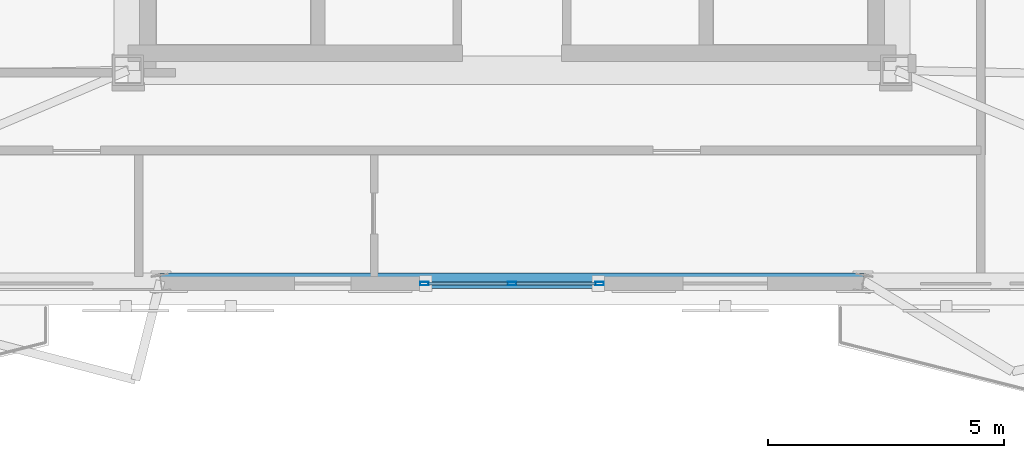
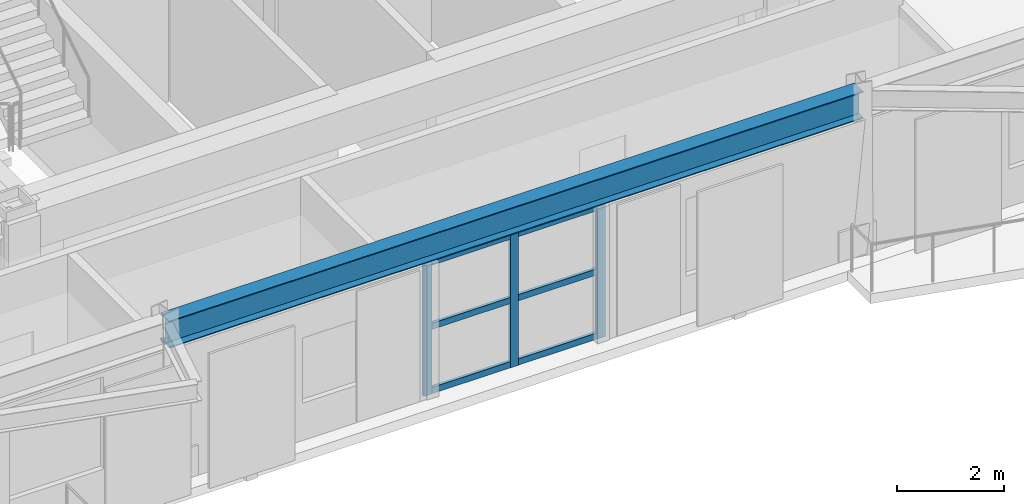
# One storey, part 2 of 15: 9 members, 1 beam, 1 element without a shape of its own.
"""IFC4 building model written with IfcOpenShell, lengths in metres."""

from ifc_helpers import new_model, si_unit, direction, frame, origin, origin_2d, place, context, subcontext, project, spatial, hollow_rectangle, i_section, extrude, material, layer, layer_set, material_profile, profile_set, type_object, element, aggregate, save


model = new_model("IFC4")

# Units and contexts
model_context = context("Model", 3, precision=1e-05, world=origin(), true_north=direction((0.0, 1.0)))
body_context = subcontext(model_context, "Body", "Model", "MODEL_VIEW")
ifc_project = project(units=[si_unit("LENGTHUNIT", "METRE"), si_unit("AREAUNIT", "SQUARE_METRE"), si_unit("VOLUMEUNIT", "CUBIC_METRE"), si_unit("PLANEANGLEUNIT", "RADIAN"), si_unit("MASSUNIT", "GRAM", prefix="KILO")], contexts=[model_context])

# Site, building, storey
site_placement = place(None, origin())
site = spatial("IfcSite", under=ifc_project, at=site_placement, CompositionType="ELEMENT")
building_placement = place(site_placement, origin())
building = spatial("IfcBuilding", under=site, at=building_placement, Name="Oramaril Tower", CompositionType="ELEMENT")
storey_placement = place(building_placement, frame((0.0, 0.0, 265.5)))
storey = spatial("IfcBuildingStorey", under=building, at=storey_placement, Name="L70", CompositionType="ELEMENT", Elevation=265.5)

# Beam
ifc_material_1 = material(Name="Steel ASTM A572 Gr 50", Category="steel")
ifc_material_profile_1 = material_profile(ifc_material_1, i_section(OverallWidth=0.324951171875, OverallDepth=0.612060546875, WebThickness=0.0126953125, FlangeThickness=0.01904296875, at=origin_2d()), Name="W24X104")
ifc_profile_set_1 = profile_set([ifc_material_profile_1], Name="Steel ASTM A572 Gr 50")
beam_type = type_object("IfcBeamType", Name="BT-SP5", PredefinedType="SPANDREL", material=ifc_profile_set_1)
beam_placement = place(storey_placement, frame((30.040771484375, 6.53466796875, 3.3740234375), z_axis=(1.0, 0.0, 0.0), x_axis=(0.0, 1.0, 0.0)))
element("IfcBeam", 1, at=beam_placement, inside=storey, type_object=beam_type, Name="L70 Perimeter Spandrel 04", PredefinedType="SPANDREL", context=body_context, shape_type="SweptSolid", body=[
    extrude(i_section(OverallWidth=0.324951171875, OverallDepth=0.612060546875, WebThickness=0.0126953125, FlangeThickness=0.01904296875, at=origin_2d()), origin(), (0.0, 0.0, 1.0), 14.91845703125),
])

# Curtain wall, members
ifc_material_2 = material(Name="Anodised Aluminium 6063-T6", Category="aluminium")
ifc_layer = layer(ifc_material_2, 0.179931640625)
ifc_layer_set = layer_set([ifc_layer], Name="CWT-SYS4")
curtain_wall_type = type_object("IfcCurtainWallType", Name="CWT-SYS4", PredefinedType="NOTDEFINED", material=ifc_layer_set)
curtain_wall_placement = place(storey_placement, origin())
curtain_wall = element("IfcCurtainWall", 2, at=curtain_wall_placement, inside=storey, type_object=curtain_wall_type, Name="L70 Unitised Curtain Wall CW-4", PredefinedType="NOTDEFINED")
ifc_material_3 = material(Name="Anodised Aluminium 6063-T6", Category="aluminium")
ifc_material_profile_2 = material_profile(ifc_material_3, hollow_rectangle(XDim=0.070068359375, YDim=0.179931640625, WallThickness=0.00390625, at=origin_2d()), Name="CWM180X70")
ifc_profile_set_2 = profile_set([ifc_material_profile_2], Name="Anodised Aluminium 6063-T6")
member_type_1 = type_object("IfcMemberType", Name="MT-CWM2", PredefinedType="MULLION", material=ifc_profile_set_2)
member_1_placement = place(storey_placement, frame((35.639892578125, 6.474853515625, 0.0), z_axis=(0.0, 0.0, 1.0), x_axis=(0.0, 1.0, 0.0)))
member_1 = element("IfcMember", 3, at=member_1_placement, type_object=member_type_1, Name="CW-4 mullion 1", PredefinedType="MULLION", context=body_context, shape_type="SweptSolid", body=[
    extrude(hollow_rectangle(XDim=0.070068359375, YDim=0.179931640625, WallThickness=0.00390625, at=origin_2d()), origin(), (0.0, 0.0, 1.0), 3.05810546875),
])
member_2_placement = place(storey_placement, frame((37.5, 6.474853515625, 0.0), z_axis=(0.0, 0.0, 1.0), x_axis=(0.0, 1.0, 0.0)))
member_2 = element("IfcMember", 4, at=member_2_placement, type_object=member_type_1, Name="CW-4 mullion 2", PredefinedType="MULLION", context=body_context, shape_type="SweptSolid", body=[
    extrude(hollow_rectangle(XDim=0.070068359375, YDim=0.179931640625, WallThickness=0.00390625, at=origin_2d()), origin(), (0.0, 0.0, 1.0), 3.05810546875),
])
member_3_placement = place(storey_placement, frame((39.360107421875, 6.474853515625, 0.0), z_axis=(0.0, 0.0, 1.0), x_axis=(0.0, 1.0, 0.0)))
member_3 = element("IfcMember", 5, at=member_3_placement, type_object=member_type_1, Name="CW-4 mullion 3", PredefinedType="MULLION", context=body_context, shape_type="SweptSolid", body=[
    extrude(hollow_rectangle(XDim=0.070068359375, YDim=0.179931640625, WallThickness=0.00390625, at=origin_2d()), origin(), (0.0, 0.0, 1.0), 3.05810546875),
])
ifc_material_4 = material(Name="Anodised Aluminium 6063-T6", Category="aluminium")
ifc_material_profile_3 = material_profile(ifc_material_4, hollow_rectangle(XDim=0.06494140625, YDim=0.139892578125, WallThickness=0.00390625, at=origin_2d()), Name="CWT140X65")
ifc_profile_set_3 = profile_set([ifc_material_profile_3], Name="Anodised Aluminium 6063-T6")
member_type_2 = type_object("IfcMemberType", Name="MT-CWT2", PredefinedType="USERDEFINED", material=ifc_profile_set_3)
member_4_placement = place(storey_placement, frame((35.72998046875, 6.474853515625, 0.070068359375), z_axis=(1.0, 0.0, 0.0), x_axis=(0.0, 1.0, 0.0)))
member_4 = element("IfcMember", 6, at=member_4_placement, type_object=member_type_2, Name="CW-4 transom 1.1", ObjectType="TRANSOM", PredefinedType="USERDEFINED", context=body_context, shape_type="SweptSolid", body=[
    extrude(hollow_rectangle(XDim=0.06494140625, YDim=0.139892578125, WallThickness=0.00390625, at=origin_2d()), origin(), (0.0, 0.0, 1.0), 1.679931640625),
])
member_5_placement = place(storey_placement, frame((35.72998046875, 6.474853515625, 1.529052734375), z_axis=(1.0, 0.0, 0.0), x_axis=(0.0, 1.0, 0.0)))
member_5 = element("IfcMember", 7, at=member_5_placement, type_object=member_type_2, Name="CW-4 transom 1.2", ObjectType="TRANSOM", PredefinedType="USERDEFINED", context=body_context, shape_type="SweptSolid", body=[
    extrude(hollow_rectangle(XDim=0.06494140625, YDim=0.139892578125, WallThickness=0.00390625, at=origin_2d()), origin(), (0.0, 0.0, 1.0), 1.679931640625),
])
member_6_placement = place(storey_placement, frame((35.72998046875, 6.474853515625, 2.988037109375), z_axis=(1.0, 0.0, 0.0), x_axis=(0.0, 1.0, 0.0)))
member_6 = element("IfcMember", 8, at=member_6_placement, type_object=member_type_2, Name="CW-4 transom 1.3", ObjectType="TRANSOM", PredefinedType="USERDEFINED", context=body_context, shape_type="SweptSolid", body=[
    extrude(hollow_rectangle(XDim=0.06494140625, YDim=0.139892578125, WallThickness=0.00390625, at=origin_2d()), origin(), (0.0, 0.0, 1.0), 1.679931640625),
])
member_7_placement = place(storey_placement, frame((37.590087890625, 6.474853515625, 0.070068359375), z_axis=(1.0, 0.0, 0.0), x_axis=(0.0, 1.0, 0.0)))
member_7 = element("IfcMember", 9, at=member_7_placement, type_object=member_type_2, Name="CW-4 transom 2.1", ObjectType="TRANSOM", PredefinedType="USERDEFINED", context=body_context, shape_type="SweptSolid", body=[
    extrude(hollow_rectangle(XDim=0.06494140625, YDim=0.139892578125, WallThickness=0.00390625, at=origin_2d()), origin(), (0.0, 0.0, 1.0), 1.679931640625),
])
member_8_placement = place(storey_placement, frame((37.590087890625, 6.474853515625, 1.529052734375), z_axis=(1.0, 0.0, 0.0), x_axis=(0.0, 1.0, 0.0)))
member_8 = element("IfcMember", 10, at=member_8_placement, type_object=member_type_2, Name="CW-4 transom 2.2", ObjectType="TRANSOM", PredefinedType="USERDEFINED", context=body_context, shape_type="SweptSolid", body=[
    extrude(hollow_rectangle(XDim=0.06494140625, YDim=0.139892578125, WallThickness=0.00390625, at=origin_2d()), origin(), (0.0, 0.0, 1.0), 1.679931640625),
])
member_9_placement = place(storey_placement, frame((37.590087890625, 6.474853515625, 2.988037109375), z_axis=(1.0, 0.0, 0.0), x_axis=(0.0, 1.0, 0.0)))
member_9 = element("IfcMember", 11, at=member_9_placement, type_object=member_type_2, Name="CW-4 transom 2.3", ObjectType="TRANSOM", PredefinedType="USERDEFINED", context=body_context, shape_type="SweptSolid", body=[
    extrude(hollow_rectangle(XDim=0.06494140625, YDim=0.139892578125, WallThickness=0.00390625, at=origin_2d()), origin(), (0.0, 0.0, 1.0), 1.679931640625),
])
aggregate(curtain_wall, [member_1, member_2, member_3, member_4, member_5, member_6, member_7, member_8, member_9])

save(model, "model.ifc")
